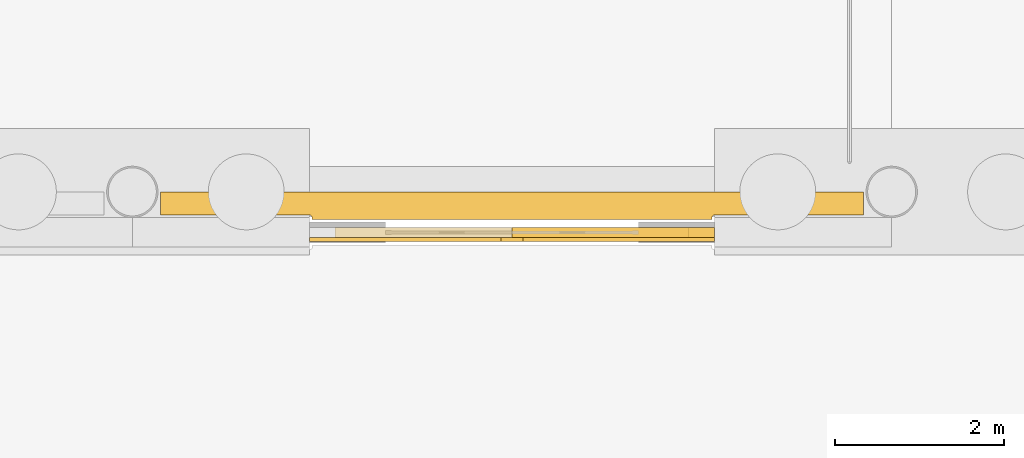
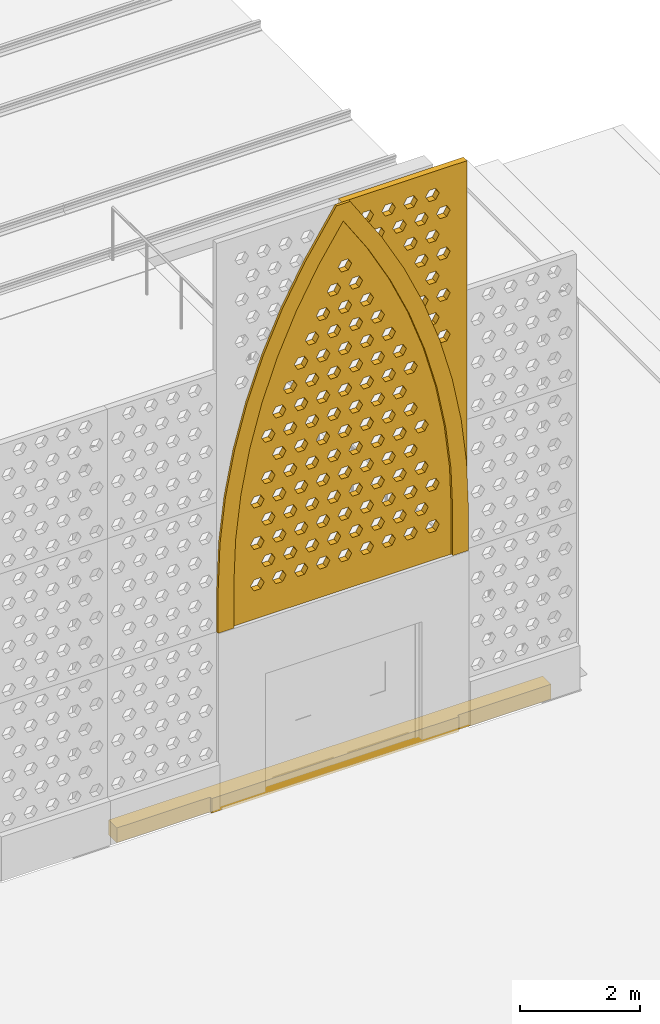
# One storey, part 213 of 250: 2 coverings, 2 shading devices.
"""IFC4 building model written with IfcOpenShell, lengths in metres."""

from ifc_helpers import new_model, si_unit, direction, frame, origin, place, context, subcontext, project, spatial, polyline, outline, extrude, material, layer, layer_set, type_object, element, save


model = new_model("IFC4")

# Units and contexts
model_context = context("Model", 3, precision=1e-05, world=origin(), true_north=direction((0.0, 1.0)))
body_context = subcontext(model_context, "Body", "Model", "MODEL_VIEW")
ifc_project = project(units=[si_unit("LENGTHUNIT", "METRE"), si_unit("AREAUNIT", "SQUARE_METRE"), si_unit("VOLUMEUNIT", "CUBIC_METRE"), si_unit("PLANEANGLEUNIT", "RADIAN"), si_unit("MASSUNIT", "GRAM", prefix="KILO")], contexts=[model_context])

# Site, building, storey
site_placement = place(None, origin())
site = spatial("IfcSite", under=ifc_project, at=site_placement, CompositionType="ELEMENT")
building_placement = place(site_placement, origin())
building = spatial("IfcBuilding", under=site, at=building_placement, Name="Baradari Gate Terminus", CompositionType="ELEMENT")
storey_placement = place(building_placement, origin())
storey = spatial("IfcBuildingStorey", under=building, at=storey_placement, Name="L00", CompositionType="ELEMENT", Elevation=0.0)

# Covering
ifc_material_1 = material(Name="Laterite masonry", Category="masonry")
ifc_layer_1 = layer(ifc_material_1, 0.050048828125)
ifc_layer_set_1 = layer_set([ifc_layer_1], Name="Laterite masonry")
covering_type_1 = type_object("IfcCoveringType", Name="Arch ring RG-1 50", PredefinedType="CLADDING", material=ifc_layer_set_1)
covering_1_placement = place(storey_placement, frame((236.10009765625, 35.43505859375, 3.52490234375), z_axis=(0.0, 0.0, 1.0), x_axis=(1.0, 0.0, 0.0)))
element("IfcCovering", 1, at=covering_1_placement, inside=storey, type_object=covering_type_1, Name="Arch ring RG-1 SC09b", PredefinedType="CLADDING", context=body_context, shape_type="SweptSolid", body=[
    extrude(outline(polyline([(0.034423828125, 1.8046875), (0.0, 0.90576171875), (0.0, 0.0), (0.300048828125, 0.0), (0.300048828125, 0.900146484375), (0.333740234375, 1.78173828125), (0.435302734375, 2.658203125), (0.603515625, 3.5244140625), (0.837646484375, 4.375), (1.13623046875, 5.205322265625), (1.49755859375, 6.01025390625), (1.919677734375, 6.784912109375), (2.39990234375, 7.525146484375), (2.880126953125, 6.784912109375), (3.30224609375, 6.01025390625), (3.663818359375, 5.205322265625), (3.96240234375, 4.375), (4.196533203125, 3.5244140625), (4.36474609375, 2.658203125), (4.466064453125, 1.78173828125), (4.5, 0.900146484375), (4.5, 0.0), (4.800048828125, 0.0), (4.800048828125, 0.90576171875), (4.765380859375, 1.8046875), (4.66162109375, 2.7041015625), (4.48876953125, 3.5927734375), (4.24853515625, 4.4658203125), (3.942138671875, 5.317626953125), (3.5712890625, 6.1435546875), (3.13818359375, 6.9384765625), (2.530517578125, 7.875), (2.26953125, 7.875), (1.661865234375, 6.9384765625), (1.228759765625, 6.1435546875), (0.85791015625, 5.317626953125), (0.55126953125, 4.4658203125), (0.31103515625, 3.5927734375), (0.138427734375, 2.7041015625), (0.034423828125, 1.8046875)])), frame((0.0, 0.02490234375, 0.0), z_axis=(0.0, -1.0, 0.0), x_axis=(1.0, 0.0, 0.0)), (0.0, 0.0, 1.0), 0.050048828125),
])

# Shading devices
ifc_material_2 = material(Name="Concrete C50/60 precast", Category="concrete")
ifc_layer_2 = layer(ifc_material_2, 0.1201171875)
ifc_layer_set_2 = layer_set([ifc_layer_2], Name="Concrete C50/60 precast")
shading_device_type = type_object("IfcShadingDeviceType", Name="Jali screen panel JS-2 120", PredefinedType="SHUTTER", material=ifc_layer_set_2)
shading_device_1_placement = place(storey_placement, frame((236.39990234375, 35.52001953125, 3.52490234375), z_axis=(0.0, 0.0, 1.0), x_axis=(1.0, 0.0, 0.0)))
element("IfcShadingDevice", 2, at=shading_device_1_placement, inside=storey, type_object=shading_device_type, Name="Jali screen panel JS-2 SC09b arch A", PredefinedType="SHUTTER", context=body_context, shape_type="SweptSolid", body=[
    extrude(outline(polyline([(0.0, 0.900146484375), (0.0, 0.0), (4.199951171875, 0.0), (4.199951171875, 0.900146484375), (4.166259765625, 1.78173828125), (4.064697265625, 2.658203125), (3.896484375, 3.5244140625), (3.662353515625, 4.375), (3.36376953125, 5.205322265625), (3.00244140625, 6.01025390625), (2.580322265625, 6.784912109375), (2.10009765625, 7.525146484375), (1.619873046875, 6.784912109375), (1.19775390625, 6.01025390625), (0.836181640625, 5.205322265625), (0.53759765625, 4.375), (0.303466796875, 3.5244140625), (0.13525390625, 2.658203125), (0.033935546875, 1.78173828125), (0.0, 0.900146484375)]), holes=[polyline([(0.610107421875, 0.690185546875), (0.544921875, 0.57763671875), (0.4150390625, 0.57763671875), (0.35009765625, 0.690185546875), (0.4150390625, 0.802734375), (0.544921875, 0.802734375), (0.610107421875, 0.690185546875)]), polyline([(1.030029296875, 0.690185546875), (0.965087890625, 0.57763671875), (0.8349609375, 0.57763671875), (0.77001953125, 0.690185546875), (0.8349609375, 0.802734375), (0.965087890625, 0.802734375), (1.030029296875, 0.690185546875)]), polyline([(1.449951171875, 0.690185546875), (1.385009765625, 0.57763671875), (1.2548828125, 0.57763671875), (1.18994140625, 0.690185546875), (1.2548828125, 0.802734375), (1.385009765625, 0.802734375), (1.449951171875, 0.690185546875)]), polyline([(1.8701171875, 0.690185546875), (1.804931640625, 0.57763671875), (1.675048828125, 0.57763671875), (1.610107421875, 0.690185546875), (1.675048828125, 0.802734375), (1.804931640625, 0.802734375), (1.8701171875, 0.690185546875)]), polyline([(2.2900390625, 0.690185546875), (2.22509765625, 0.57763671875), (2.094970703125, 0.57763671875), (2.030029296875, 0.690185546875), (2.094970703125, 0.802734375), (2.22509765625, 0.802734375), (2.2900390625, 0.690185546875)]), polyline([(2.7099609375, 0.690185546875), (2.64501953125, 0.57763671875), (2.514892578125, 0.57763671875), (2.449951171875, 0.690185546875), (2.514892578125, 0.802734375), (2.64501953125, 0.802734375), (2.7099609375, 0.690185546875)]), polyline([(3.1298828125, 0.690185546875), (3.06494140625, 0.57763671875), (2.93505859375, 0.57763671875), (2.8701171875, 0.690185546875), (2.93505859375, 0.802734375), (3.06494140625, 0.802734375), (3.1298828125, 0.690185546875)]), polyline([(3.550048828125, 0.690185546875), (3.485107421875, 0.57763671875), (3.35498046875, 0.57763671875), (3.2900390625, 0.690185546875), (3.35498046875, 0.802734375), (3.485107421875, 0.802734375), (3.550048828125, 0.690185546875)]), polyline([(3.969970703125, 0.690185546875), (3.905029296875, 0.57763671875), (3.77490234375, 0.57763671875), (3.7099609375, 0.690185546875), (3.77490234375, 0.802734375), (3.905029296875, 0.802734375), (3.969970703125, 0.690185546875)]), polyline([(0.820068359375, 1.110107421875), (0.7548828125, 0.99755859375), (0.625, 0.99755859375), (0.56005859375, 1.110107421875), (0.625, 1.22265625), (0.7548828125, 1.22265625), (0.820068359375, 1.110107421875)]), polyline([(1.239990234375, 1.110107421875), (1.175048828125, 0.99755859375), (1.044921875, 0.99755859375), (0.97998046875, 1.110107421875), (1.044921875, 1.22265625), (1.175048828125, 1.22265625), (1.239990234375, 1.110107421875)]), polyline([(1.659912109375, 1.110107421875), (1.594970703125, 0.99755859375), (1.465087890625, 0.99755859375), (1.39990234375, 1.110107421875), (1.465087890625, 1.22265625), (1.594970703125, 1.22265625), (1.659912109375, 1.110107421875)]), polyline([(2.080078125, 1.110107421875), (2.014892578125, 0.99755859375), (1.885009765625, 0.99755859375), (1.820068359375, 1.110107421875), (1.885009765625, 1.22265625), (2.014892578125, 1.22265625), (2.080078125, 1.110107421875)]), polyline([(2.5, 1.110107421875), (2.43505859375, 0.99755859375), (2.304931640625, 0.99755859375), (2.239990234375, 1.110107421875), (2.304931640625, 1.22265625), (2.43505859375, 1.22265625), (2.5, 1.110107421875)]), polyline([(2.919921875, 1.110107421875), (2.85498046875, 0.99755859375), (2.72509765625, 0.99755859375), (2.659912109375, 1.110107421875), (2.72509765625, 1.22265625), (2.85498046875, 1.22265625), (2.919921875, 1.110107421875)]), polyline([(3.340087890625, 1.110107421875), (3.27490234375, 0.99755859375), (3.14501953125, 0.99755859375), (3.080078125, 1.110107421875), (3.14501953125, 1.22265625), (3.27490234375, 1.22265625), (3.340087890625, 1.110107421875)]), polyline([(3.760009765625, 1.110107421875), (3.695068359375, 0.99755859375), (3.56494140625, 0.99755859375), (3.5, 1.110107421875), (3.56494140625, 1.22265625), (3.695068359375, 1.22265625), (3.760009765625, 1.110107421875)]), polyline([(0.610107421875, 1.530029296875), (0.544921875, 1.41748046875), (0.4150390625, 1.41748046875), (0.35009765625, 1.530029296875), (0.4150390625, 1.642578125), (0.544921875, 1.642578125), (0.610107421875, 1.530029296875)]), polyline([(1.030029296875, 1.530029296875), (0.965087890625, 1.41748046875), (0.8349609375, 1.41748046875), (0.77001953125, 1.530029296875), (0.8349609375, 1.642578125), (0.965087890625, 1.642578125), (1.030029296875, 1.530029296875)]), polyline([(1.449951171875, 1.530029296875), (1.385009765625, 1.41748046875), (1.2548828125, 1.41748046875), (1.18994140625, 1.530029296875), (1.2548828125, 1.642578125), (1.385009765625, 1.642578125), (1.449951171875, 1.530029296875)]), polyline([(1.8701171875, 1.530029296875), (1.804931640625, 1.41748046875), (1.675048828125, 1.41748046875), (1.610107421875, 1.530029296875), (1.675048828125, 1.642578125), (1.804931640625, 1.642578125), (1.8701171875, 1.530029296875)]), polyline([(2.2900390625, 1.530029296875), (2.22509765625, 1.41748046875), (2.094970703125, 1.41748046875), (2.030029296875, 1.530029296875), (2.094970703125, 1.642578125), (2.22509765625, 1.642578125), (2.2900390625, 1.530029296875)]), polyline([(2.7099609375, 1.530029296875), (2.64501953125, 1.41748046875), (2.514892578125, 1.41748046875), (2.449951171875, 1.530029296875), (2.514892578125, 1.642578125), (2.64501953125, 1.642578125), (2.7099609375, 1.530029296875)]), polyline([(3.1298828125, 1.530029296875), (3.06494140625, 1.41748046875), (2.93505859375, 1.41748046875), (2.8701171875, 1.530029296875), (2.93505859375, 1.642578125), (3.06494140625, 1.642578125), (3.1298828125, 1.530029296875)]), polyline([(3.550048828125, 1.530029296875), (3.485107421875, 1.41748046875), (3.35498046875, 1.41748046875), (3.2900390625, 1.530029296875), (3.35498046875, 1.642578125), (3.485107421875, 1.642578125), (3.550048828125, 1.530029296875)]), polyline([(3.969970703125, 1.530029296875), (3.905029296875, 1.41748046875), (3.77490234375, 1.41748046875), (3.7099609375, 1.530029296875), (3.77490234375, 1.642578125), (3.905029296875, 1.642578125), (3.969970703125, 1.530029296875)]), polyline([(0.820068359375, 1.9501953125), (0.7548828125, 1.83740234375), (0.625, 1.83740234375), (0.56005859375, 1.9501953125), (0.625, 2.062744140625), (0.7548828125, 2.062744140625), (0.820068359375, 1.9501953125)]), polyline([(1.239990234375, 1.9501953125), (1.175048828125, 1.83740234375), (1.044921875, 1.83740234375), (0.97998046875, 1.9501953125), (1.044921875, 2.062744140625), (1.175048828125, 2.062744140625), (1.239990234375, 1.9501953125)]), polyline([(1.659912109375, 1.9501953125), (1.594970703125, 1.83740234375), (1.465087890625, 1.83740234375), (1.39990234375, 1.9501953125), (1.465087890625, 2.062744140625), (1.594970703125, 2.062744140625), (1.659912109375, 1.9501953125)]), polyline([(2.080078125, 1.9501953125), (2.014892578125, 1.83740234375), (1.885009765625, 1.83740234375), (1.820068359375, 1.9501953125), (1.885009765625, 2.062744140625), (2.014892578125, 2.062744140625), (2.080078125, 1.9501953125)]), polyline([(2.5, 1.9501953125), (2.43505859375, 1.83740234375), (2.304931640625, 1.83740234375), (2.239990234375, 1.9501953125), (2.304931640625, 2.062744140625), (2.43505859375, 2.062744140625), (2.5, 1.9501953125)]), polyline([(2.919921875, 1.9501953125), (2.85498046875, 1.83740234375), (2.72509765625, 1.83740234375), (2.659912109375, 1.9501953125), (2.72509765625, 2.062744140625), (2.85498046875, 2.062744140625), (2.919921875, 1.9501953125)]), polyline([(3.340087890625, 1.9501953125), (3.27490234375, 1.83740234375), (3.14501953125, 1.83740234375), (3.080078125, 1.9501953125), (3.14501953125, 2.062744140625), (3.27490234375, 2.062744140625), (3.340087890625, 1.9501953125)]), polyline([(3.760009765625, 1.9501953125), (3.695068359375, 1.83740234375), (3.56494140625, 1.83740234375), (3.5, 1.9501953125), (3.56494140625, 2.062744140625), (3.695068359375, 2.062744140625), (3.760009765625, 1.9501953125)]), polyline([(0.610107421875, 2.3701171875), (0.544921875, 2.257568359375), (0.4150390625, 2.257568359375), (0.35009765625, 2.3701171875), (0.4150390625, 2.482666015625), (0.544921875, 2.482666015625), (0.610107421875, 2.3701171875)]), polyline([(1.030029296875, 2.3701171875), (0.965087890625, 2.257568359375), (0.8349609375, 2.257568359375), (0.77001953125, 2.3701171875), (0.8349609375, 2.482666015625), (0.965087890625, 2.482666015625), (1.030029296875, 2.3701171875)]), polyline([(1.449951171875, 2.3701171875), (1.385009765625, 2.257568359375), (1.2548828125, 2.257568359375), (1.18994140625, 2.3701171875), (1.2548828125, 2.482666015625), (1.385009765625, 2.482666015625), (1.449951171875, 2.3701171875)]), polyline([(1.8701171875, 2.3701171875), (1.804931640625, 2.257568359375), (1.675048828125, 2.257568359375), (1.610107421875, 2.3701171875), (1.675048828125, 2.482666015625), (1.804931640625, 2.482666015625), (1.8701171875, 2.3701171875)]), polyline([(2.2900390625, 2.3701171875), (2.22509765625, 2.257568359375), (2.094970703125, 2.257568359375), (2.030029296875, 2.3701171875), (2.094970703125, 2.482666015625), (2.22509765625, 2.482666015625), (2.2900390625, 2.3701171875)]), polyline([(2.7099609375, 2.3701171875), (2.64501953125, 2.257568359375), (2.514892578125, 2.257568359375), (2.449951171875, 2.3701171875), (2.514892578125, 2.482666015625), (2.64501953125, 2.482666015625), (2.7099609375, 2.3701171875)]), polyline([(3.1298828125, 2.3701171875), (3.06494140625, 2.257568359375), (2.93505859375, 2.257568359375), (2.8701171875, 2.3701171875), (2.93505859375, 2.482666015625), (3.06494140625, 2.482666015625), (3.1298828125, 2.3701171875)]), polyline([(3.550048828125, 2.3701171875), (3.485107421875, 2.257568359375), (3.35498046875, 2.257568359375), (3.2900390625, 2.3701171875), (3.35498046875, 2.482666015625), (3.485107421875, 2.482666015625), (3.550048828125, 2.3701171875)]), polyline([(0.820068359375, 2.7900390625), (0.7548828125, 2.677490234375), (0.625, 2.677490234375), (0.56005859375, 2.7900390625), (0.625, 2.902587890625), (0.7548828125, 2.902587890625), (0.820068359375, 2.7900390625)]), polyline([(1.239990234375, 2.7900390625), (1.175048828125, 2.677490234375), (1.044921875, 2.677490234375), (0.97998046875, 2.7900390625), (1.044921875, 2.902587890625), (1.175048828125, 2.902587890625), (1.239990234375, 2.7900390625)]), polyline([(1.659912109375, 2.7900390625), (1.594970703125, 2.677490234375), (1.465087890625, 2.677490234375), (1.39990234375, 2.7900390625), (1.465087890625, 2.902587890625), (1.594970703125, 2.902587890625), (1.659912109375, 2.7900390625)]), polyline([(2.080078125, 2.7900390625), (2.014892578125, 2.677490234375), (1.885009765625, 2.677490234375), (1.820068359375, 2.7900390625), (1.885009765625, 2.902587890625), (2.014892578125, 2.902587890625), (2.080078125, 2.7900390625)]), polyline([(2.5, 2.7900390625), (2.43505859375, 2.677490234375), (2.304931640625, 2.677490234375), (2.239990234375, 2.7900390625), (2.304931640625, 2.902587890625), (2.43505859375, 2.902587890625), (2.5, 2.7900390625)]), polyline([(2.919921875, 2.7900390625), (2.85498046875, 2.677490234375), (2.72509765625, 2.677490234375), (2.659912109375, 2.7900390625), (2.72509765625, 2.902587890625), (2.85498046875, 2.902587890625), (2.919921875, 2.7900390625)]), polyline([(3.340087890625, 2.7900390625), (3.27490234375, 2.677490234375), (3.14501953125, 2.677490234375), (3.080078125, 2.7900390625), (3.14501953125, 2.902587890625), (3.27490234375, 2.902587890625), (3.340087890625, 2.7900390625)]), polyline([(3.760009765625, 2.7900390625), (3.695068359375, 2.677490234375), (3.56494140625, 2.677490234375), (3.5, 2.7900390625), (3.56494140625, 2.902587890625), (3.695068359375, 2.902587890625), (3.760009765625, 2.7900390625)]), polyline([(1.030029296875, 3.210205078125), (0.965087890625, 3.097412109375), (0.8349609375, 3.097412109375), (0.77001953125, 3.210205078125), (0.8349609375, 3.32275390625), (0.965087890625, 3.32275390625), (1.030029296875, 3.210205078125)]), polyline([(1.449951171875, 3.210205078125), (1.385009765625, 3.097412109375), (1.2548828125, 3.097412109375), (1.18994140625, 3.210205078125), (1.2548828125, 3.32275390625), (1.385009765625, 3.32275390625), (1.449951171875, 3.210205078125)]), polyline([(1.8701171875, 3.210205078125), (1.804931640625, 3.097412109375), (1.675048828125, 3.097412109375), (1.610107421875, 3.210205078125), (1.675048828125, 3.32275390625), (1.804931640625, 3.32275390625), (1.8701171875, 3.210205078125)]), polyline([(2.2900390625, 3.210205078125), (2.22509765625, 3.097412109375), (2.094970703125, 3.097412109375), (2.030029296875, 3.210205078125), (2.094970703125, 3.32275390625), (2.22509765625, 3.32275390625), (2.2900390625, 3.210205078125)]), polyline([(2.7099609375, 3.210205078125), (2.64501953125, 3.097412109375), (2.514892578125, 3.097412109375), (2.449951171875, 3.210205078125), (2.514892578125, 3.32275390625), (2.64501953125, 3.32275390625), (2.7099609375, 3.210205078125)]), polyline([(3.1298828125, 3.210205078125), (3.06494140625, 3.097412109375), (2.93505859375, 3.097412109375), (2.8701171875, 3.210205078125), (2.93505859375, 3.32275390625), (3.06494140625, 3.32275390625), (3.1298828125, 3.210205078125)]), polyline([(3.550048828125, 3.210205078125), (3.485107421875, 3.097412109375), (3.35498046875, 3.097412109375), (3.2900390625, 3.210205078125), (3.35498046875, 3.32275390625), (3.485107421875, 3.32275390625), (3.550048828125, 3.210205078125)]), polyline([(0.820068359375, 3.630126953125), (0.7548828125, 3.517578125), (0.625, 3.517578125), (0.56005859375, 3.630126953125), (0.625, 3.74267578125), (0.7548828125, 3.74267578125), (0.820068359375, 3.630126953125)]), polyline([(1.239990234375, 3.630126953125), (1.175048828125, 3.517578125), (1.044921875, 3.517578125), (0.97998046875, 3.630126953125), (1.044921875, 3.74267578125), (1.175048828125, 3.74267578125), (1.239990234375, 3.630126953125)]), polyline([(1.659912109375, 3.630126953125), (1.594970703125, 3.517578125), (1.465087890625, 3.517578125), (1.39990234375, 3.630126953125), (1.465087890625, 3.74267578125), (1.594970703125, 3.74267578125), (1.659912109375, 3.630126953125)]), polyline([(2.080078125, 3.630126953125), (2.014892578125, 3.517578125), (1.885009765625, 3.517578125), (1.820068359375, 3.630126953125), (1.885009765625, 3.74267578125), (2.014892578125, 3.74267578125), (2.080078125, 3.630126953125)]), polyline([(2.5, 3.630126953125), (2.43505859375, 3.517578125), (2.304931640625, 3.517578125), (2.239990234375, 3.630126953125), (2.304931640625, 3.74267578125), (2.43505859375, 3.74267578125), (2.5, 3.630126953125)]), polyline([(2.919921875, 3.630126953125), (2.85498046875, 3.517578125), (2.72509765625, 3.517578125), (2.659912109375, 3.630126953125), (2.72509765625, 3.74267578125), (2.85498046875, 3.74267578125), (2.919921875, 3.630126953125)]), polyline([(3.340087890625, 3.630126953125), (3.27490234375, 3.517578125), (3.14501953125, 3.517578125), (3.080078125, 3.630126953125), (3.14501953125, 3.74267578125), (3.27490234375, 3.74267578125), (3.340087890625, 3.630126953125)]), polyline([(1.030029296875, 4.050048828125), (0.965087890625, 3.9375), (0.8349609375, 3.9375), (0.77001953125, 4.050048828125), (0.8349609375, 4.16259765625), (0.965087890625, 4.16259765625), (1.030029296875, 4.050048828125)]), polyline([(1.449951171875, 4.050048828125), (1.385009765625, 3.9375), (1.2548828125, 3.9375), (1.18994140625, 4.050048828125), (1.2548828125, 4.16259765625), (1.385009765625, 4.16259765625), (1.449951171875, 4.050048828125)]), polyline([(1.8701171875, 4.050048828125), (1.804931640625, 3.9375), (1.675048828125, 3.9375), (1.610107421875, 4.050048828125), (1.675048828125, 4.16259765625), (1.804931640625, 4.16259765625), (1.8701171875, 4.050048828125)]), polyline([(2.2900390625, 4.050048828125), (2.22509765625, 3.9375), (2.094970703125, 3.9375), (2.030029296875, 4.050048828125), (2.094970703125, 4.16259765625), (2.22509765625, 4.16259765625), (2.2900390625, 4.050048828125)]), polyline([(2.7099609375, 4.050048828125), (2.64501953125, 3.9375), (2.514892578125, 3.9375), (2.449951171875, 4.050048828125), (2.514892578125, 4.16259765625), (2.64501953125, 4.16259765625), (2.7099609375, 4.050048828125)]), polyline([(3.1298828125, 4.050048828125), (3.06494140625, 3.9375), (2.93505859375, 3.9375), (2.8701171875, 4.050048828125), (2.93505859375, 4.16259765625), (3.06494140625, 4.16259765625), (3.1298828125, 4.050048828125)]), polyline([(3.550048828125, 4.050048828125), (3.485107421875, 3.9375), (3.35498046875, 3.9375), (3.2900390625, 4.050048828125), (3.35498046875, 4.16259765625), (3.485107421875, 4.16259765625), (3.550048828125, 4.050048828125)]), polyline([(1.239990234375, 4.47021484375), (1.175048828125, 4.357421875), (1.044921875, 4.357421875), (0.97998046875, 4.47021484375), (1.044921875, 4.582763671875), (1.175048828125, 4.582763671875), (1.239990234375, 4.47021484375)]), polyline([(1.659912109375, 4.47021484375), (1.594970703125, 4.357421875), (1.465087890625, 4.357421875), (1.39990234375, 4.47021484375), (1.465087890625, 4.582763671875), (1.594970703125, 4.582763671875), (1.659912109375, 4.47021484375)]), polyline([(2.080078125, 4.47021484375), (2.014892578125, 4.357421875), (1.885009765625, 4.357421875), (1.820068359375, 4.47021484375), (1.885009765625, 4.582763671875), (2.014892578125, 4.582763671875), (2.080078125, 4.47021484375)]), polyline([(2.5, 4.47021484375), (2.43505859375, 4.357421875), (2.304931640625, 4.357421875), (2.239990234375, 4.47021484375), (2.304931640625, 4.582763671875), (2.43505859375, 4.582763671875), (2.5, 4.47021484375)]), polyline([(2.919921875, 4.47021484375), (2.85498046875, 4.357421875), (2.72509765625, 4.357421875), (2.659912109375, 4.47021484375), (2.72509765625, 4.582763671875), (2.85498046875, 4.582763671875), (2.919921875, 4.47021484375)]), polyline([(3.340087890625, 4.47021484375), (3.27490234375, 4.357421875), (3.14501953125, 4.357421875), (3.080078125, 4.47021484375), (3.14501953125, 4.582763671875), (3.27490234375, 4.582763671875), (3.340087890625, 4.47021484375)]), polyline([(1.449951171875, 4.89013671875), (1.385009765625, 4.777587890625), (1.2548828125, 4.777587890625), (1.18994140625, 4.89013671875), (1.2548828125, 5.002685546875), (1.385009765625, 5.002685546875), (1.449951171875, 4.89013671875)]), polyline([(1.8701171875, 4.89013671875), (1.804931640625, 4.777587890625), (1.675048828125, 4.777587890625), (1.610107421875, 4.89013671875), (1.675048828125, 5.002685546875), (1.804931640625, 5.002685546875), (1.8701171875, 4.89013671875)]), polyline([(2.2900390625, 4.89013671875), (2.22509765625, 4.777587890625), (2.094970703125, 4.777587890625), (2.030029296875, 4.89013671875), (2.094970703125, 5.002685546875), (2.22509765625, 5.002685546875), (2.2900390625, 4.89013671875)]), polyline([(2.7099609375, 4.89013671875), (2.64501953125, 4.777587890625), (2.514892578125, 4.777587890625), (2.449951171875, 4.89013671875), (2.514892578125, 5.002685546875), (2.64501953125, 5.002685546875), (2.7099609375, 4.89013671875)]), polyline([(3.1298828125, 4.89013671875), (3.06494140625, 4.777587890625), (2.93505859375, 4.777587890625), (2.8701171875, 4.89013671875), (2.93505859375, 5.002685546875), (3.06494140625, 5.002685546875), (3.1298828125, 4.89013671875)]), polyline([(1.659912109375, 5.31005859375), (1.594970703125, 5.197509765625), (1.465087890625, 5.197509765625), (1.39990234375, 5.31005859375), (1.465087890625, 5.422607421875), (1.594970703125, 5.422607421875), (1.659912109375, 5.31005859375)]), polyline([(2.080078125, 5.31005859375), (2.014892578125, 5.197509765625), (1.885009765625, 5.197509765625), (1.820068359375, 5.31005859375), (1.885009765625, 5.422607421875), (2.014892578125, 5.422607421875), (2.080078125, 5.31005859375)]), polyline([(2.5, 5.31005859375), (2.43505859375, 5.197509765625), (2.304931640625, 5.197509765625), (2.239990234375, 5.31005859375), (2.304931640625, 5.422607421875), (2.43505859375, 5.422607421875), (2.5, 5.31005859375)]), polyline([(2.919921875, 5.31005859375), (2.85498046875, 5.197509765625), (2.72509765625, 5.197509765625), (2.659912109375, 5.31005859375), (2.72509765625, 5.422607421875), (2.85498046875, 5.422607421875), (2.919921875, 5.31005859375)]), polyline([(1.8701171875, 5.72998046875), (1.804931640625, 5.617431640625), (1.675048828125, 5.617431640625), (1.610107421875, 5.72998046875), (1.675048828125, 5.8427734375), (1.804931640625, 5.8427734375), (1.8701171875, 5.72998046875)]), polyline([(2.2900390625, 5.72998046875), (2.22509765625, 5.617431640625), (2.094970703125, 5.617431640625), (2.030029296875, 5.72998046875), (2.094970703125, 5.8427734375), (2.22509765625, 5.8427734375), (2.2900390625, 5.72998046875)]), polyline([(2.7099609375, 5.72998046875), (2.64501953125, 5.617431640625), (2.514892578125, 5.617431640625), (2.449951171875, 5.72998046875), (2.514892578125, 5.8427734375), (2.64501953125, 5.8427734375), (2.7099609375, 5.72998046875)]), polyline([(2.080078125, 6.150146484375), (2.014892578125, 6.03759765625), (1.885009765625, 6.03759765625), (1.820068359375, 6.150146484375), (1.885009765625, 6.2626953125), (2.014892578125, 6.2626953125), (2.080078125, 6.150146484375)]), polyline([(2.5, 6.150146484375), (2.43505859375, 6.03759765625), (2.304931640625, 6.03759765625), (2.239990234375, 6.150146484375), (2.304931640625, 6.2626953125), (2.43505859375, 6.2626953125), (2.5, 6.150146484375)]), polyline([(2.2900390625, 6.570068359375), (2.22509765625, 6.45751953125), (2.094970703125, 6.45751953125), (2.030029296875, 6.570068359375), (2.094970703125, 6.6826171875), (2.22509765625, 6.6826171875), (2.2900390625, 6.570068359375)])]), frame((0.0, 0.06005859375, 0.0), z_axis=(0.0, -1.0, 0.0), x_axis=(1.0, 0.0, 0.0)), (0.0, 0.0, 1.0), 0.1201171875),
])
shading_device_2_placement = place(storey_placement, frame((238.5, 35.52001953125, 3.52490234375), z_axis=(0.0, 0.0, 1.0), x_axis=(1.0, 0.0, 0.0)))
element("IfcShadingDevice", 3, at=shading_device_2_placement, inside=storey, type_object=shading_device_type, Name="Jali screen panel JS-2 SC09b arch R1", PredefinedType="SHUTTER", context=body_context, shape_type="SweptSolid", body=[
    extrude(outline(polyline([(0.0, 7.875), (0.0, 7.525146484375), (0.480224609375, 6.784912109375), (0.90234375, 6.01025390625), (1.263671875, 5.205322265625), (1.5625, 4.375), (1.796630859375, 3.5244140625), (1.96484375, 2.658203125), (2.066162109375, 1.78173828125), (2.10009765625, 0.900146484375), (2.10009765625, 0.0), (2.39990234375, 0.0), (2.39990234375, 7.875), (0.0, 7.875)]), holes=[polyline([(2.080078125, 4.47021484375), (2.014892578125, 4.357421875), (1.885009765625, 4.357421875), (1.820068359375, 4.47021484375), (1.885009765625, 4.582763671875), (2.014892578125, 4.582763671875), (2.080078125, 4.47021484375)]), polyline([(1.8701171875, 4.89013671875), (1.804931640625, 4.777587890625), (1.675048828125, 4.777587890625), (1.610107421875, 4.89013671875), (1.675048828125, 5.002685546875), (1.804931640625, 5.002685546875), (1.8701171875, 4.89013671875)]), polyline([(1.659912109375, 5.31005859375), (1.594970703125, 5.197509765625), (1.465087890625, 5.197509765625), (1.39990234375, 5.31005859375), (1.465087890625, 5.422607421875), (1.594970703125, 5.422607421875), (1.659912109375, 5.31005859375)]), polyline([(2.080078125, 5.31005859375), (2.014892578125, 5.197509765625), (1.885009765625, 5.197509765625), (1.820068359375, 5.31005859375), (1.885009765625, 5.422607421875), (2.014892578125, 5.422607421875), (2.080078125, 5.31005859375)]), polyline([(1.8701171875, 5.72998046875), (1.804931640625, 5.617431640625), (1.675048828125, 5.617431640625), (1.610107421875, 5.72998046875), (1.675048828125, 5.8427734375), (1.804931640625, 5.8427734375), (1.8701171875, 5.72998046875)]), polyline([(1.659912109375, 6.150146484375), (1.594970703125, 6.03759765625), (1.465087890625, 6.03759765625), (1.39990234375, 6.150146484375), (1.465087890625, 6.2626953125), (1.594970703125, 6.2626953125), (1.659912109375, 6.150146484375)]), polyline([(2.080078125, 6.150146484375), (2.014892578125, 6.03759765625), (1.885009765625, 6.03759765625), (1.820068359375, 6.150146484375), (1.885009765625, 6.2626953125), (2.014892578125, 6.2626953125), (2.080078125, 6.150146484375)]), polyline([(1.449951171875, 6.570068359375), (1.385009765625, 6.45751953125), (1.2548828125, 6.45751953125), (1.18994140625, 6.570068359375), (1.2548828125, 6.6826171875), (1.385009765625, 6.6826171875), (1.449951171875, 6.570068359375)]), polyline([(1.8701171875, 6.570068359375), (1.804931640625, 6.45751953125), (1.675048828125, 6.45751953125), (1.610107421875, 6.570068359375), (1.675048828125, 6.6826171875), (1.804931640625, 6.6826171875), (1.8701171875, 6.570068359375)]), polyline([(0.820068359375, 6.989990234375), (0.7548828125, 6.87744140625), (0.625, 6.87744140625), (0.56005859375, 6.989990234375), (0.625, 7.102783203125), (0.7548828125, 7.102783203125), (0.820068359375, 6.989990234375)]), polyline([(1.239990234375, 6.989990234375), (1.175048828125, 6.87744140625), (1.044921875, 6.87744140625), (0.97998046875, 6.989990234375), (1.044921875, 7.102783203125), (1.175048828125, 7.102783203125), (1.239990234375, 6.989990234375)]), polyline([(1.659912109375, 6.989990234375), (1.594970703125, 6.87744140625), (1.465087890625, 6.87744140625), (1.39990234375, 6.989990234375), (1.465087890625, 7.102783203125), (1.594970703125, 7.102783203125), (1.659912109375, 6.989990234375)]), polyline([(2.080078125, 6.989990234375), (2.014892578125, 6.87744140625), (1.885009765625, 6.87744140625), (1.820068359375, 6.989990234375), (1.885009765625, 7.102783203125), (2.014892578125, 7.102783203125), (2.080078125, 6.989990234375)]), polyline([(0.610107421875, 7.41015625), (0.544921875, 7.297607421875), (0.4150390625, 7.297607421875), (0.35009765625, 7.41015625), (0.4150390625, 7.522705078125), (0.544921875, 7.522705078125), (0.610107421875, 7.41015625)]), polyline([(1.030029296875, 7.41015625), (0.965087890625, 7.297607421875), (0.8349609375, 7.297607421875), (0.77001953125, 7.41015625), (0.8349609375, 7.522705078125), (0.965087890625, 7.522705078125), (1.030029296875, 7.41015625)]), polyline([(1.449951171875, 7.41015625), (1.385009765625, 7.297607421875), (1.2548828125, 7.297607421875), (1.18994140625, 7.41015625), (1.2548828125, 7.522705078125), (1.385009765625, 7.522705078125), (1.449951171875, 7.41015625)]), polyline([(1.8701171875, 7.41015625), (1.804931640625, 7.297607421875), (1.675048828125, 7.297607421875), (1.610107421875, 7.41015625), (1.675048828125, 7.522705078125), (1.804931640625, 7.522705078125), (1.8701171875, 7.41015625)])]), frame((0.0, 0.06005859375, 0.0), z_axis=(0.0, -1.0, 0.0), x_axis=(1.0, 0.0, 0.0)), (0.0, 0.0, 1.0), 0.1201171875),
])

# Covering
ifc_material_3 = material(Name="Planted lawn")
ifc_layer_3 = layer(ifc_material_3, 0.300048828125)
ifc_layer_set_3 = layer_set([ifc_layer_3], Name="Planted lawn")
covering_type_2 = type_object("IfcCoveringType", Name="Planted lawn bed LW-1 300", PredefinedType="USERDEFINED", material=ifc_layer_set_3)
covering_2_placement = place(storey_placement, frame((0.0, 0.0, -0.300048828125)))
element("IfcCovering", 4, at=covering_2_placement, inside=storey, type_object=covering_type_2, Name="Planted lawn 12", ObjectType="LAWN", PredefinedType="USERDEFINED", context=body_context, shape_type="SweptSolid", body=[
    extrude(outline(polyline([(236.111572265625, 35.72265625), (236.1142578125, 35.721435546875), (236.11669921875, 35.719970703125), (236.119140625, 35.71826171875), (236.12109375, 35.71630859375), (236.123291015625, 35.714111328125), (236.125, 35.711669921875), (236.12646484375, 35.709228515625), (236.127685546875, 35.70654296875), (236.128662109375, 35.70361328125), (236.12939453125, 35.700927734375), (236.1298828125, 35.697998046875), (236.1298828125, 35.695068359375), (236.1298828125, 35.675048828125), (240.8701171875, 35.675048828125), (240.8701171875, 35.695068359375), (240.8701171875, 35.697998046875), (240.87060546875, 35.700927734375), (240.871337890625, 35.70361328125), (240.872314453125, 35.70654296875), (240.87353515625, 35.709228515625), (240.875, 35.711669921875), (240.876708984375, 35.714111328125), (240.87890625, 35.71630859375), (240.880859375, 35.71826171875), (240.88330078125, 35.719970703125), (240.8857421875, 35.721435546875), (240.888427734375, 35.72265625), (240.891357421875, 35.7236328125), (240.89404296875, 35.724365234375), (240.89697265625, 35.724853515625), (240.89990234375, 35.72509765625), (242.6650390625, 35.72509765625), (242.6650390625, 36.0), (234.3349609375, 36.0), (234.3349609375, 35.72509765625), (236.10009765625, 35.72509765625), (236.10302734375, 35.724853515625), (236.10595703125, 35.724365234375), (236.108642578125, 35.7236328125), (236.111572265625, 35.72265625)])), origin(), (0.0, 0.0, 1.0), 0.300048828125),
])

save(model, "model.ifc")
